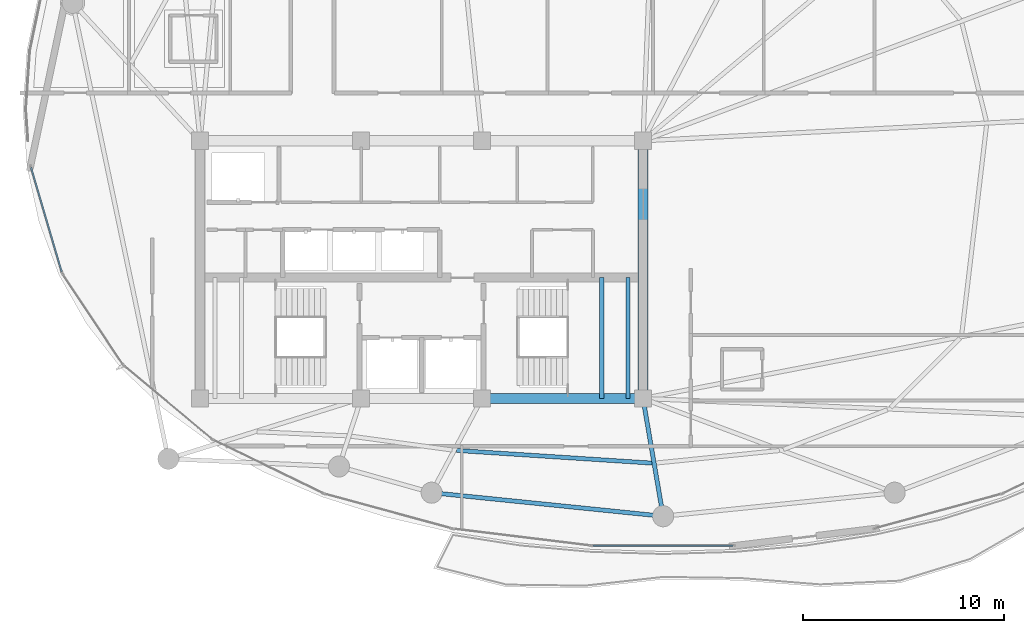
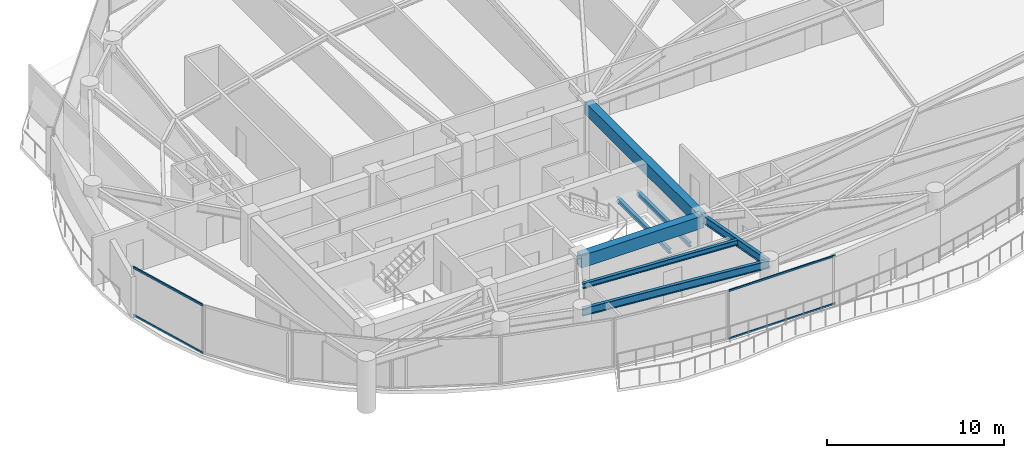
# One storey, part 6 of 29: 7 beams, 4 members, 2 elements without a shape of their own.
"""IFC4 building model written with IfcOpenShell, lengths in metres."""

from ifc_helpers import new_model, si_unit, direction, frame, origin, origin_2d, place, context, subcontext, project, spatial, rectangle, hollow_rectangle, i_section, extrude, material, layer, layer_set, material_profile, profile_set, type_object, element, aggregate, save


model = new_model("IFC4")

# Units and contexts
model_context = context("Model", 3, precision=1e-05, world=origin(), true_north=direction((0.0, 1.0)))
body_context = subcontext(model_context, "Body", "Model", "MODEL_VIEW")
ifc_project = project(units=[si_unit("LENGTHUNIT", "METRE"), si_unit("AREAUNIT", "SQUARE_METRE"), si_unit("VOLUMEUNIT", "CUBIC_METRE"), si_unit("PLANEANGLEUNIT", "RADIAN"), si_unit("MASSUNIT", "GRAM", prefix="KILO")], contexts=[model_context])

# Site, building, storey
site_placement = place(None, origin())
site = spatial("IfcSite", under=ifc_project, at=site_placement, CompositionType="ELEMENT")
building_placement = place(site_placement, origin())
building = spatial("IfcBuilding", under=site, at=building_placement, Name="Kazevale Care Tower and Concert Hall", CompositionType="ELEMENT")
storey_placement = place(building_placement, frame((0.0, 0.0, 213.60009765625)))
storey = spatial("IfcBuildingStorey", under=building, at=storey_placement, Name="L56", CompositionType="ELEMENT", Elevation=213.60009765625)

# Curtain wall, members
ifc_material_1 = material(Name="Aluminium 6063-T6 and Low-E Glass", Category="aluminium")
ifc_layer_1 = layer(ifc_material_1, 0.179931640625)
ifc_layer_set_1 = layer_set([ifc_layer_1], Name="Aluminium 6063-T6 and Low-E Glass")
curtain_wall_type_1 = type_object("IfcCurtainWallType", Name="Waist & Upper Residential Curtain Wall CW-4", PredefinedType="NOTDEFINED", material=ifc_layer_set_1)
curtain_wall_1_placement = place(storey_placement, origin())
curtain_wall_1 = element("IfcCurtainWall", 1, at=curtain_wall_1_placement, inside=storey, type_object=curtain_wall_type_1, Name="cw:L56:f12", PredefinedType="NOTDEFINED")
ifc_material_2 = material(Name="Aluminium 6063-T6", Category="aluminium")
ifc_material_profile_1 = material_profile(ifc_material_2, hollow_rectangle(XDim=0.080078125, YDim=0.139892578125, WallThickness=0.00390625, at=origin_2d()), Name="ALU80x140x4")
ifc_profile_set_1 = profile_set([ifc_material_profile_1], Name="Aluminium 6063-T6")
member_type_1 = type_object("IfcMemberType", Name="CW-4 Transom ALU80x140x4", PredefinedType="USERDEFINED", material=ifc_profile_set_1)
member_1_placement = place(storey_placement, frame((15.12548828125, 29.897705078125, 0.039794921875), z_axis=(-0.282102705943, 0.95938421047, 0.0), x_axis=(-0.95938421047, -0.282102705943, 0.0)))
member_1 = element("IfcMember", 2, at=member_1_placement, type_object=member_type_1, Name="CW-4 transom 1.1", ObjectType="TRANSOM", PredefinedType="USERDEFINED", context=body_context, shape_type="SweptSolid", body=[
    extrude(hollow_rectangle(XDim=0.080078125, YDim=0.139892578125, WallThickness=0.00390625, at=origin_2d()), origin(), (0.0, 0.0, 1.0), 5.402099609375),
])
member_2_placement = place(storey_placement, frame((15.12548828125, 29.897705078125, 3.31982421875), z_axis=(-0.282102705943, 0.95938421047, 0.0), x_axis=(-0.95938421047, -0.282102705943, 0.0)))
member_2 = element("IfcMember", 3, at=member_2_placement, type_object=member_type_1, Name="CW-4 transom 1.2", ObjectType="TRANSOM", PredefinedType="USERDEFINED", context=body_context, shape_type="SweptSolid", body=[
    extrude(hollow_rectangle(XDim=0.080078125, YDim=0.139892578125, WallThickness=0.00390625, at=origin_2d()), origin(), (0.0, 0.0, 1.0), 5.402099609375),
])
aggregate(curtain_wall_1, [member_1, member_2])

ifc_layer_2 = layer(ifc_material_1, 0.179931640625)
ifc_layer_set_2 = layer_set([ifc_layer_2], Name="Aluminium 6063-T6 and Low-E Glass")
curtain_wall_type_2 = type_object("IfcCurtainWallType", Name="Sheltered Concave Balcony Curtain Wall CW-5", PredefinedType="NOTDEFINED", material=ifc_layer_set_2)
curtain_wall_2_placement = place(storey_placement, origin())
curtain_wall_2 = element("IfcCurtainWall", 4, at=curtain_wall_2_placement, inside=storey, type_object=curtain_wall_type_2, Name="cw:L56:f06", PredefinedType="NOTDEFINED")
ifc_material_profile_2 = material_profile(ifc_material_2, hollow_rectangle(XDim=0.074951171875, YDim=0.1201171875, WallThickness=0.00390625, at=origin_2d()), Name="ALU75x120x4")
ifc_profile_set_2 = profile_set([ifc_material_profile_2], Name="Aluminium 6063-T6")
member_type_2 = type_object("IfcMemberType", Name="CW-5 Transom ALU75x120x4", PredefinedType="USERDEFINED", material=ifc_profile_set_2)
member_3_placement = place(storey_placement, frame((48.47509765625, 16.284912109375, 0.037353515625), z_axis=(-1.0, 0.0, 0.0), x_axis=(0.0, -1.0, 0.0)))
member_3 = element("IfcMember", 5, at=member_3_placement, type_object=member_type_2, Name="CW-5 transom 1.1", ObjectType="TRANSOM", PredefinedType="USERDEFINED", context=body_context, shape_type="SweptSolid", body=[
    extrude(hollow_rectangle(XDim=0.074951171875, YDim=0.1201171875, WallThickness=0.00390625, at=origin_2d()), origin(), (0.0, 0.0, 1.0), 6.9501953125),
])
member_4_placement = place(storey_placement, frame((48.47509765625, 16.284912109375, 3.322509765625), z_axis=(-1.0, 0.0, 0.0), x_axis=(0.0, -1.0, 0.0)))
member_4 = element("IfcMember", 6, at=member_4_placement, type_object=member_type_2, Name="CW-5 transom 1.2", ObjectType="TRANSOM", PredefinedType="USERDEFINED", context=body_context, shape_type="SweptSolid", body=[
    extrude(hollow_rectangle(XDim=0.074951171875, YDim=0.1201171875, WallThickness=0.00390625, at=origin_2d()), origin(), (0.0, 0.0, 1.0), 6.9501953125),
])
aggregate(curtain_wall_2, [member_3, member_4])

# Beams
ifc_material_3 = material(Name="Concrete C60", Category="concrete")
ifc_material_profile_3 = material_profile(ifc_material_3, rectangle(XDim=0.5, YDim=0.85009765625, at=origin_2d()), Name="RC-B500x850")
ifc_profile_set_3 = profile_set([ifc_material_profile_3], Name="Concrete C60")
beam_type_1 = type_object("IfcBeamType", Name="Core Coupling Beam RC500x850", PredefinedType="LINTEL", material=ifc_profile_set_3)
beam_1_placement = place(storey_placement, frame((36.0, 23.60009765625, 2.934814453125), z_axis=(1.0, 0.0, 0.0), x_axis=(0.0, 1.0, 0.0)))
element("IfcBeam", 7, at=beam_1_placement, inside=storey, type_object=beam_type_1, Name="beam:L56:coretie:3", PredefinedType="LINTEL", context=body_context, shape_type="SweptSolid", body=[
    extrude(rectangle(XDim=0.5, YDim=0.85009765625, at=origin_2d()), origin(), (0.0, 0.0, 1.0), 8.0),
])
beam_2_placement = place(storey_placement, frame((44.0, 23.60009765625, 2.934814453125), z_axis=(0.0, 1.0, 0.0), x_axis=(-1.0, 0.0, 0.0)))
element("IfcBeam", 8, at=beam_2_placement, inside=storey, type_object=beam_type_1, Name="beam:L56:coretie:4", PredefinedType="LINTEL", context=body_context, shape_type="SweptSolid", body=[
    extrude(rectangle(XDim=0.5, YDim=0.85009765625, at=origin_2d()), origin(), (0.0, 0.0, 1.0), 12.7998046875),
])
ifc_material_4 = material(Name="Steel ASTM A572 Gr 50", Category="steel")
ifc_material_profile_4 = material_profile(ifc_material_4, i_section(OverallWidth=0.2119140625, OverallDepth=0.5439453125, WebThickness=0.01318359375, FlangeThickness=0.021240234375, at=origin_2d()), Name="W530x123")
ifc_profile_set_4 = profile_set([ifc_material_profile_4], Name="Steel ASTM A572 Gr 50")
beam_type_2 = type_object("IfcBeamType", Name="Radial Floor Girder W530x123", PredefinedType="BEAM", material=ifc_profile_set_4)
beam_3_placement = place(storey_placement, frame((44.0, 23.60009765625, 3.087890625), z_axis=(0.168493389607, -0.985702783631, 0.0), x_axis=(0.985702783631, 0.168493389607, 0.0)))
element("IfcBeam", 9, at=beam_3_placement, inside=storey, type_object=beam_type_2, Name="beam:L56:rad:13", PredefinedType="BEAM", context=body_context, shape_type="SweptSolid", body=[
    extrude(i_section(OverallWidth=0.2119140625, OverallDepth=0.5439453125, WebThickness=0.01318359375, FlangeThickness=0.021240234375, at=origin_2d()), origin(), (0.0, 0.0, 1.0), 5.93505859375),
])
ifc_material_profile_5 = material_profile(ifc_material_4, i_section(OverallWidth=0.205078125, OverallDepth=0.35400390625, WebThickness=0.009521484375, FlangeThickness=0.016845703125, at=origin_2d()), Name="W360x79")
ifc_profile_set_5 = profile_set([ifc_material_profile_5], Name="Steel ASTM A572 Gr 50")
beam_type_3 = type_object("IfcBeamType", Name="Secondary Floor Joist W360x79", PredefinedType="JOIST", material=ifc_profile_set_5)
beam_4_placement = place(storey_placement, frame((34.72998046875, 21.01904296875, 3.182861328125), z_axis=(0.997903161374, -0.064724651559, 0.0), x_axis=(0.064724651559, 0.997903161374, 0.0)))
element("IfcBeam", 10, at=beam_4_placement, inside=storey, type_object=beam_type_3, Name="beam:L56:joist:12", PredefinedType="JOIST", context=body_context, shape_type="SweptSolid", body=[
    extrude(i_section(OverallWidth=0.205078125, OverallDepth=0.35400390625, WebThickness=0.009521484375, FlangeThickness=0.016845703125, at=origin_2d()), origin(), (0.0, 0.0, 1.0), 9.735595703125),
])
ifc_material_profile_6 = material_profile(ifc_material_4, i_section(OverallWidth=0.202880859375, OverallDepth=0.302978515625, WebThickness=0.007568359375, FlangeThickness=0.01318359375, at=origin_2d()), Name="W310x60")
ifc_profile_set_6 = profile_set([ifc_material_profile_6], Name="Steel ASTM A572 Gr 50")
beam_type_4 = type_object("IfcBeamType", Name="Stair & Balcony Trimmer W310x60", PredefinedType="BEAM", material=ifc_profile_set_6)
for number, where, z_axis, x_axis, name in (
    (11, (41.949951171875, 23.60009765625, 1.448486328125), (0.0, 1.0, 0.0), (-1.0, 0.0, 0.0), "beam:L56:sttrim:ST2"),
    (12, (43.25, 23.60009765625, 1.448486328125), (0.0, 1.0, 0.0), (-1.0, 0.0, 0.0), "beam:L56:sttrim:ST2b"),
):
    element("IfcBeam", number, at=place(storey_placement, frame(where, z_axis=z_axis, x_axis=x_axis)), inside=storey, type_object=beam_type_4, Name=name, PredefinedType="BEAM", context=body_context, shape_type="SweptSolid", body=[
        extrude(i_section(OverallWidth=0.202880859375, OverallDepth=0.302978515625, WebThickness=0.007568359375, FlangeThickness=0.01318359375, at=origin_2d()), origin(), (0.0, 0.0, 1.0), 6.0),
    ])
ifc_material_profile_7 = material_profile(ifc_material_4, i_section(OverallWidth=0.208984375, OverallDepth=0.532958984375, WebThickness=0.01025390625, FlangeThickness=0.015625, at=origin_2d()), Name="W530x92")
ifc_profile_set_7 = profile_set([ifc_material_profile_7], Name="Steel ASTM A572 Gr 50")
beam_type_5 = type_object("IfcBeamType", Name="Upper Ring Beam W530x92", PredefinedType="BEAM", material=ifc_profile_set_7)
beam_5_placement = place(storey_placement, frame((33.5, 18.919921875, 3.093505859375), z_axis=(0.994865089307, -0.101209950492, 0.0), x_axis=(0.101209950492, 0.994865089307, 0.0)))
element("IfcBeam", 13, at=beam_5_placement, inside=storey, type_object=beam_type_5, Name="beam:L56:ring:12", PredefinedType="BEAM", context=body_context, shape_type="SweptSolid", body=[
    extrude(i_section(OverallWidth=0.208984375, OverallDepth=0.532958984375, WebThickness=0.01025390625, FlangeThickness=0.015625, at=origin_2d()), origin(), (0.0, 0.0, 1.0), 11.559326171875),
])

save(model, "model.ifc")
